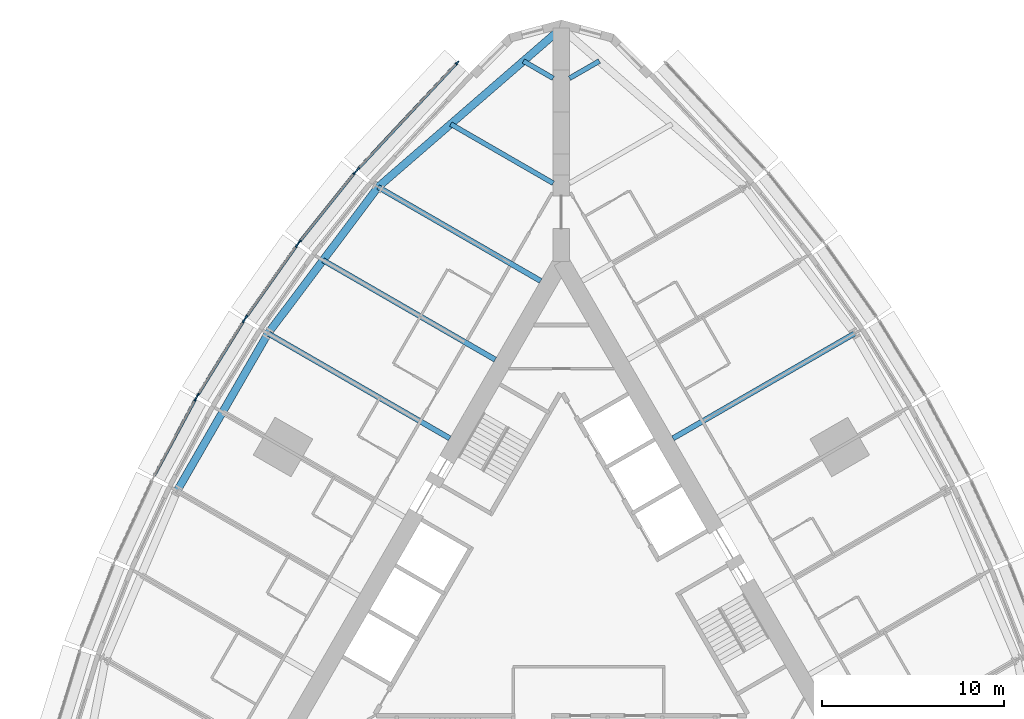
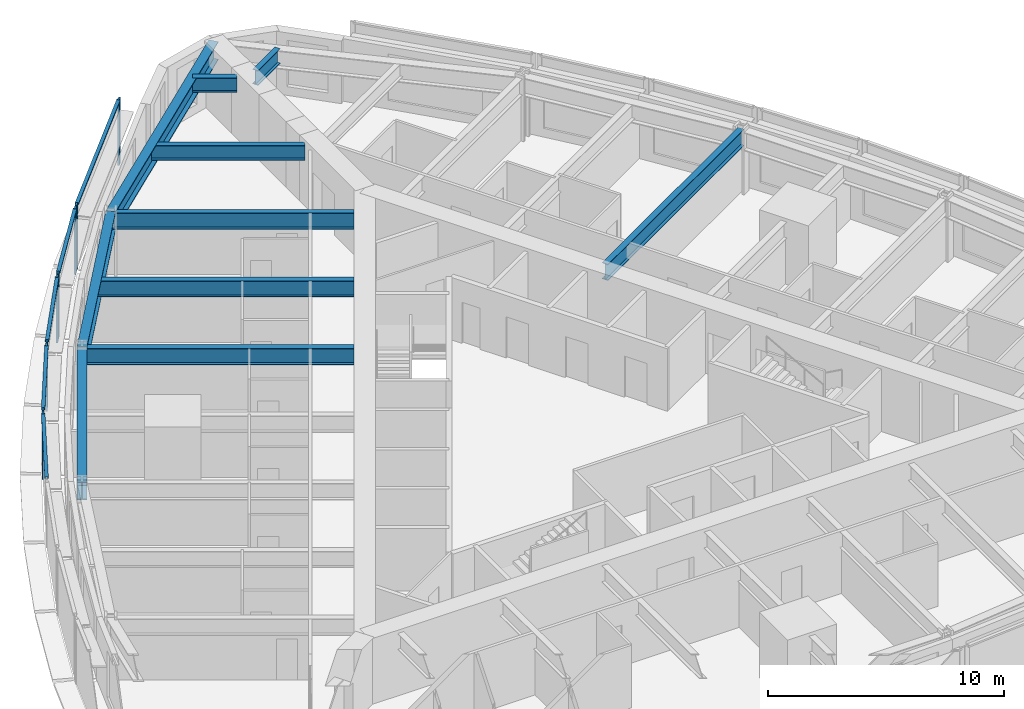
# One storey, part 4 of 14: 14 members, 10 beams, 5 elements without a shape of their own.
"""IFC4 building model written with IfcOpenShell, lengths in metres."""

from ifc_helpers import new_model, si_unit, direction, frame, origin, origin_2d, place, context, subcontext, project, spatial, rectangle, i_section, extrude, material, material_profile, profile_set, type_object, element, aggregate, save


model = new_model("IFC4")

# Units and contexts
model_context = context("Model", 3, precision=1e-05, world=origin(), true_north=direction((0.0, 1.0)))
body_context = subcontext(model_context, "Body", "Model", "MODEL_VIEW")
ifc_project = project(units=[si_unit("LENGTHUNIT", "METRE"), si_unit("AREAUNIT", "SQUARE_METRE"), si_unit("VOLUMEUNIT", "CUBIC_METRE"), si_unit("PLANEANGLEUNIT", "RADIAN"), si_unit("MASSUNIT", "GRAM", prefix="KILO")], contexts=[model_context])

# Site, building, storey
site_placement = place(None, origin())
site = spatial("IfcSite", under=ifc_project, at=site_placement, CompositionType="ELEMENT")
building_placement = place(site_placement, origin())
building = spatial("IfcBuilding", under=site, at=building_placement, Name="Trikona Tower", CompositionType="ELEMENT")
storey_placement = place(building_placement, frame((0.0, 0.0, 52.300048828125)))
storey = spatial("IfcBuildingStorey", under=building, at=storey_placement, Name="L12", CompositionType="ELEMENT", Elevation=52.300048828125)

# Curtain wall, members
ifc_material_1 = material(Name="Aluminium curtain wall system", Category="aluminium")
curtain_wall_type = type_object("IfcCurtainWallType", Name="Curtain wall DS1", PredefinedType="NOTDEFINED", material=ifc_material_1)
curtain_wall_1_placement = place(storey_placement, origin())
curtain_wall_1 = element("IfcCurtainWall", 1, at=curtain_wall_1_placement, inside=storey, type_object=curtain_wall_type, Name="Curtain wall DS1 L12", PredefinedType="NOTDEFINED")
ifc_material_2 = material(Name="Aluminium mullion, pale anodised", Category="aluminium")
ifc_material_profile_1 = material_profile(ifc_material_2, rectangle(XDim=0.080078125, YDim=0.219970703125, at=origin_2d()), Name="MUL-DS1")
ifc_profile_set_1 = profile_set([ifc_material_profile_1], Name="Aluminium mullion, pale anodised")
member_type_1 = type_object("IfcMemberType", Name="Mullion DS1 80x220", PredefinedType="MULLION", material=ifc_profile_set_1)
member_1_placement = place(storey_placement, frame((-5.72607421875, 29.98583984375, 0.0), z_axis=(0.0, 0.0, 1.0), x_axis=(0.731076639405, -0.682295351967, 0.0)))
member_1 = element("IfcMember", 2, at=member_1_placement, type_object=member_type_1, Name="CW-DS1 mullion 1", PredefinedType="MULLION", context=body_context, shape_type="SweptSolid", body=[
    extrude(rectangle(XDim=0.080078125, YDim=0.219970703125, at=origin_2d()), origin(), (0.0, 0.0, 1.0), 3.39990234375),
])
member_2_placement = place(storey_placement, frame((-11.192138671875, 24.129150390625, 0.0), z_axis=(0.0, 0.0, 1.0), x_axis=(0.731076639405, -0.682295351967, 0.0)))
member_2 = element("IfcMember", 3, at=member_2_placement, type_object=member_type_1, Name="CW-DS1 mullion 2", PredefinedType="MULLION", context=body_context, shape_type="SweptSolid", body=[
    extrude(rectangle(XDim=0.080078125, YDim=0.219970703125, at=origin_2d()), origin(), (0.0, 0.0, 1.0), 3.39990234375),
])

curtain_wall_2_placement = place(storey_placement, origin())
curtain_wall_2 = element("IfcCurtainWall", 4, at=curtain_wall_2_placement, inside=storey, type_object=curtain_wall_type, Name="Curtain wall DS1 L12", PredefinedType="NOTDEFINED")
member_3_placement = place(storey_placement, frame((-11.36767578125, 23.926025390625, 0.0), z_axis=(0.0, 0.0, 1.0), x_axis=(0.780937959679, -0.624608599951, 0.0)))
member_3 = element("IfcMember", 5, at=member_3_placement, type_object=member_type_1, Name="CW-DS1 mullion 1", PredefinedType="MULLION", context=body_context, shape_type="SweptSolid", body=[
    extrude(rectangle(XDim=0.080078125, YDim=0.219970703125, at=origin_2d()), origin(), (0.0, 0.0, 1.0), 3.39990234375),
])
member_4_placement = place(storey_placement, frame((-14.40185546875, 20.13232421875, 0.0), z_axis=(0.0, 0.0, 1.0), x_axis=(0.780937959679, -0.624608599951, 0.0)))
member_4 = element("IfcMember", 6, at=member_4_placement, type_object=member_type_1, Name="CW-DS1 mullion 2", PredefinedType="MULLION", context=body_context, shape_type="SweptSolid", body=[
    extrude(rectangle(XDim=0.080078125, YDim=0.219970703125, at=origin_2d()), origin(), (0.0, 0.0, 1.0), 3.39990234375),
])

curtain_wall_3_placement = place(storey_placement, origin())
curtain_wall_3 = element("IfcCurtainWall", 7, at=curtain_wall_3_placement, inside=storey, type_object=curtain_wall_type, Name="Curtain wall DS1 L12", PredefinedType="NOTDEFINED")
member_5_placement = place(storey_placement, frame((-14.554443359375, 19.929443359375, 0.0), z_axis=(0.0, 0.0, 1.0), x_axis=(0.816985393055, -0.576658362928, 0.0)))
member_5 = element("IfcMember", 8, at=member_5_placement, type_object=member_type_1, Name="CW-DS1 mullion 1", PredefinedType="MULLION", context=body_context, shape_type="SweptSolid", body=[
    extrude(rectangle(XDim=0.080078125, YDim=0.219970703125, at=origin_2d()), origin(), (0.0, 0.0, 1.0), 3.39990234375),
])
member_6_placement = place(storey_placement, frame((-17.33447265625, 15.990966796875, 0.0), z_axis=(0.0, 0.0, 1.0), x_axis=(0.816985393055, -0.576658362928, 0.0)))
member_6 = element("IfcMember", 9, at=member_6_placement, type_object=member_type_1, Name="CW-DS1 mullion 2", PredefinedType="MULLION", context=body_context, shape_type="SweptSolid", body=[
    extrude(rectangle(XDim=0.080078125, YDim=0.219970703125, at=origin_2d()), origin(), (0.0, 0.0, 1.0), 3.39990234375),
])

curtain_wall_4_placement = place(storey_placement, origin())
curtain_wall_4 = element("IfcCurtainWall", 10, at=curtain_wall_4_placement, inside=storey, type_object=curtain_wall_type, Name="Curtain wall DS1 L12", PredefinedType="NOTDEFINED")
member_7_placement = place(storey_placement, frame((-17.474853515625, 15.77880859375, 0.0), z_axis=(0.0, 0.0, 1.0), x_axis=(0.850410468941, -0.526119790842, 0.0)))
member_7 = element("IfcMember", 11, at=member_7_placement, type_object=member_type_1, Name="CW-DS1 mullion 1", PredefinedType="MULLION", context=body_context, shape_type="SweptSolid", body=[
    extrude(rectangle(XDim=0.080078125, YDim=0.219970703125, at=origin_2d()), origin(), (0.0, 0.0, 1.0), 3.39990234375),
])
member_8_placement = place(storey_placement, frame((-20.00146484375, 11.69482421875, 0.0), z_axis=(0.0, 0.0, 1.0), x_axis=(0.850410468941, -0.526119790842, 0.0)))
member_8 = element("IfcMember", 12, at=member_8_placement, type_object=member_type_1, Name="CW-DS1 mullion 2", PredefinedType="MULLION", context=body_context, shape_type="SweptSolid", body=[
    extrude(rectangle(XDim=0.080078125, YDim=0.219970703125, at=origin_2d()), origin(), (0.0, 0.0, 1.0), 3.39990234375),
])

# Curtain wall, member
curtain_wall_5_placement = place(storey_placement, origin())
curtain_wall_5 = element("IfcCurtainWall", 13, at=curtain_wall_5_placement, inside=storey, type_object=curtain_wall_type, Name="Curtain wall DS1 L12", PredefinedType="NOTDEFINED")
member_9_placement = place(storey_placement, frame((-20.128662109375, 11.474365234375, 0.0), z_axis=(0.0, 0.0, 1.0), x_axis=(0.880843080975, -0.473408350896, 0.0)))
member_9 = element("IfcMember", 14, at=member_9_placement, type_object=member_type_1, Name="CW-DS1 mullion 1", PredefinedType="MULLION", context=body_context, shape_type="SweptSolid", body=[
    extrude(rectangle(XDim=0.080078125, YDim=0.219970703125, at=origin_2d()), origin(), (0.0, 0.0, 1.0), 3.39990234375),
])

# Beams
ifc_material_3 = material(Name="Steel ASTM A992 Grade 50", Category="steel")
ifc_material_profile_2 = material_profile(ifc_material_3, i_section(OverallWidth=0.2666015625, OverallDepth=0.76953125, WebThickness=0.015625, FlangeThickness=0.025390625, at=origin_2d()), Name="W30X132")
ifc_profile_set_2 = profile_set([ifc_material_profile_2], Name="Steel ASTM A992 Grade 50")
beam_type_1 = type_object("IfcBeamType", Name="Steel beam W30x132 (wedge)", PredefinedType="BEAM", material=ifc_profile_set_2)
for number, where, z_axis, x_axis, name in (
    (15, (0.449951171875, 29.127197265625, 2.85009765625), (0.866009237431, 0.5000279999, 0.0), (-0.5000279999, 0.866009237431, 0.0), "Floor beam L13 F2 u25"),
    (16, (-0.449951171875, 29.127197265625, 2.85009765625), (-0.866009237431, 0.5000279999, 0.0), (-0.5000279999, -0.866009237431, 0.0), "Floor beam L13 F3 u-25"),
):
    element("IfcBeam", number, at=place(storey_placement, frame(where, z_axis=z_axis, x_axis=x_axis)), inside=storey, type_object=beam_type_1, Name=name, PredefinedType="BEAM", context=body_context, shape_type="SweptSolid", body=[
        extrude(i_section(OverallWidth=0.2666015625, OverallDepth=0.76953125, WebThickness=0.015625, FlangeThickness=0.025390625, at=origin_2d()), origin(), (0.0, 0.0, 1.0), 1.890625),
    ])
beam_1_placement = place(storey_placement, frame((-0.449951171875, 23.353759765625, 2.85009765625), z_axis=(-0.866022504693, 0.50000502134, 0.0), x_axis=(-0.50000502134, -0.866022504693, 0.0)))
element("IfcBeam", 17, at=beam_1_placement, inside=storey, type_object=beam_type_1, Name="Floor beam L13 F3 u-20", PredefinedType="BEAM", context=body_context, shape_type="SweptSolid", body=[
    extrude(i_section(OverallWidth=0.2666015625, OverallDepth=0.76953125, WebThickness=0.015625, FlangeThickness=0.025390625, at=origin_2d()), origin(), (0.0, 0.0, 1.0), 6.5068359375),
])
ifc_material_4 = material(Name="Steel ASTM A992 Grade 50", Category="steel")
ifc_material_profile_3 = material_profile(ifc_material_4, i_section(OverallWidth=0.2919921875, OverallDepth=0.845703125, WebThickness=0.015380859375, FlangeThickness=0.0244140625, at=origin_2d()), Name="W33X141")
ifc_profile_set_3 = profile_set([ifc_material_profile_3], Name="Steel ASTM A992 Grade 50")
beam_type_2 = type_object("IfcBeamType", Name="Steel beam W33x141 (radial typ)", PredefinedType="BEAM", material=ifc_profile_set_3)
beam_2_placement = place(storey_placement, frame((6.1396484375, 9.318359375, 2.81201171875), z_axis=(0.866029923217, 0.499992172032, 0.0), x_axis=(-0.499992172032, 0.866029923217, 0.0)))
element("IfcBeam", 18, at=beam_2_placement, inside=storey, type_object=beam_type_2, Name="Floor beam L13 F2 u5", PredefinedType="BEAM", context=body_context, shape_type="SweptSolid", body=[
    extrude(i_section(OverallWidth=0.2919921875, OverallDepth=0.845703125, WebThickness=0.015380859375, FlangeThickness=0.0244140625, at=origin_2d()), origin(), (0.0, 0.0, 1.0), 11.544189453125),
])
beam_3_placement = place(storey_placement, frame((-1.1396484375, 17.978515625, 2.81201171875), z_axis=(-0.866030471684, 0.499991222037, 0.0), x_axis=(-0.499991222037, -0.866030471684, 0.0)))
element("IfcBeam", 19, at=beam_3_placement, inside=storey, type_object=beam_type_2, Name="Floor beam L13 F3 u-15", PredefinedType="BEAM", context=body_context, shape_type="SweptSolid", body=[
    extrude(i_section(OverallWidth=0.2919921875, OverallDepth=0.845703125, WebThickness=0.015380859375, FlangeThickness=0.0244140625, at=origin_2d()), origin(), (0.0, 0.0, 1.0), 10.326904296875),
])
beam_4_placement = place(storey_placement, frame((-3.6396484375, 13.6484375, 2.81201171875), z_axis=(-0.866025348605, 0.500000095573, 0.0), x_axis=(-0.500000095573, -0.866025348605, 0.0)))
element("IfcBeam", 20, at=beam_4_placement, inside=storey, type_object=beam_type_2, Name="Floor beam L13 F3 u-10", PredefinedType="BEAM", context=body_context, shape_type="SweptSolid", body=[
    extrude(i_section(OverallWidth=0.2919921875, OverallDepth=0.845703125, WebThickness=0.015380859375, FlangeThickness=0.0244140625, at=origin_2d()), origin(), (0.0, 0.0, 1.0), 10.935546875),
])
beam_5_placement = place(storey_placement, frame((-6.1396484375, 9.318359375, 2.81201171875), z_axis=(-0.866029923217, 0.499992172032, 0.0), x_axis=(-0.499992172032, -0.866029923217, 0.0)))
element("IfcBeam", 21, at=beam_5_placement, inside=storey, type_object=beam_type_2, Name="Floor beam L13 F3 u-5", PredefinedType="BEAM", context=body_context, shape_type="SweptSolid", body=[
    extrude(i_section(OverallWidth=0.2919921875, OverallDepth=0.845703125, WebThickness=0.015380859375, FlangeThickness=0.0244140625, at=origin_2d()), origin(), (0.0, 0.0, 1.0), 11.544189453125),
])
ifc_material_5 = material(Name="Steel ASTM A992 Grade 50", Category="steel")
ifc_material_profile_4 = material_profile(ifc_material_5, i_section(OverallWidth=0.424072265625, OverallDepth=0.947509765625, WebThickness=0.02392578125, FlangeThickness=0.042724609375, at=origin_2d()), Name="W36X302")
ifc_profile_set_4 = profile_set([ifc_material_profile_4], Name="Steel ASTM A992 Grade 50")
beam_type_3 = type_object("IfcBeamType", Name="Steel beam W36x302 (spandrel)", PredefinedType="SPANDREL", material=ifc_profile_set_4)
beam_6_placement = place(storey_placement, frame((0.0, 31.881591796875, 2.76123046875), z_axis=(-0.755646822726, -0.654979296851, 0.0), x_axis=(0.654979296851, -0.755646822726, 0.0)))
element("IfcBeam", 22, at=beam_6_placement, inside=storey, type_object=beam_type_3, Name="Spandrel beam L13 F3-1", PredefinedType="SPANDREL", context=body_context, shape_type="SweptSolid", body=[
    extrude(i_section(OverallWidth=0.424072265625, OverallDepth=0.947509765625, WebThickness=0.02392578125, FlangeThickness=0.042724609375, at=origin_2d()), origin(), (0.0, 0.0, 1.0), 13.343505859375),
])
beam_7_placement = place(storey_placement, frame((-10.0830078125, 23.141845703125, 2.76123046875), z_axis=(-0.600988344191, -0.799257787042, 0.0), x_axis=(0.799257787042, -0.600988344191, 0.0)))
element("IfcBeam", 23, at=beam_7_placement, inside=storey, type_object=beam_type_3, Name="Spandrel beam L13 F3-2", PredefinedType="SPANDREL", context=body_context, shape_type="SweptSolid", body=[
    extrude(i_section(OverallWidth=0.424072265625, OverallDepth=0.947509765625, WebThickness=0.02392578125, FlangeThickness=0.042724609375, at=origin_2d()), origin(), (0.0, 0.0, 1.0), 10.07373046875),
])
beam_8_placement = place(storey_placement, frame((-16.13720703125, 15.09033203125, 2.76123046875), z_axis=(-0.500004234368, -0.866022959057, 0.0), x_axis=(0.866022959057, -0.500004234368, 0.0)))
element("IfcBeam", 24, at=beam_8_placement, inside=storey, type_object=beam_type_3, Name="Spandrel beam L13 F3-3", PredefinedType="SPANDREL", context=body_context, shape_type="SweptSolid", body=[
    extrude(i_section(OverallWidth=0.424072265625, OverallDepth=0.947509765625, WebThickness=0.02392578125, FlangeThickness=0.042724609375, at=origin_2d()), origin(), (0.0, 0.0, 1.0), 10.0),
])

# Member
ifc_material_6 = material(Name="Aluminium transom, pale anodised", Category="aluminium")
ifc_material_profile_5 = material_profile(ifc_material_6, rectangle(XDim=0.159912109375, YDim=0.080078125, at=origin_2d()), Name="TRN-DS1")
ifc_profile_set_5 = profile_set([ifc_material_profile_5], Name="Aluminium transom, pale anodised")
member_type_2 = type_object("IfcMemberType", Name="Transom DS1 80x160", PredefinedType="USERDEFINED", material=ifc_profile_set_5)
member_10_placement = place(storey_placement, frame((-5.75341796875, 29.95654296875, 3.35986328125), z_axis=(-0.682290830921, -0.731080858758, 0.0), x_axis=(0.731080858758, -0.682290830921, 0.0)))
member_10 = element("IfcMember", 25, at=member_10_placement, type_object=member_type_2, Name="CW-DS1 transom 1.1", ObjectType="TRANSOM", PredefinedType="USERDEFINED", context=body_context, shape_type="SweptSolid", body=[
    extrude(rectangle(XDim=0.159912109375, YDim=0.080078125, at=origin_2d()), origin(), (0.0, 0.0, 1.0), 7.93115234375),
])

aggregate(curtain_wall_1, [member_1, member_2, member_10])

member_11_placement = place(storey_placement, frame((-11.392822265625, 23.894775390625, 3.35986328125), z_axis=(-0.624589103832, -0.780953552636, 0.0), x_axis=(0.780953552636, -0.624589103832, 0.0)))
member_11 = element("IfcMember", 26, at=member_11_placement, type_object=member_type_2, Name="CW-DS1 transom 1.1", ObjectType="TRANSOM", PredefinedType="USERDEFINED", context=body_context, shape_type="SweptSolid", body=[
    extrude(rectangle(XDim=0.159912109375, YDim=0.080078125, at=origin_2d()), origin(), (0.0, 0.0, 1.0), 4.77783203125),
])

aggregate(curtain_wall_2, [member_3, member_4, member_11])

member_12_placement = place(storey_placement, frame((-14.57763671875, 19.896728515625, 3.35986328125), z_axis=(-0.57664478015, -0.816994980111, 0.0), x_axis=(0.816994980111, -0.57664478015, 0.0)))
member_12 = element("IfcMember", 27, at=member_12_placement, type_object=member_type_2, Name="CW-DS1 transom 1.1", ObjectType="TRANSOM", PredefinedType="USERDEFINED", context=body_context, shape_type="SweptSolid", body=[
    extrude(rectangle(XDim=0.159912109375, YDim=0.080078125, at=origin_2d()), origin(), (0.0, 0.0, 1.0), 4.740478515625),
])

aggregate(curtain_wall_3, [member_5, member_6, member_12])

member_13_placement = place(storey_placement, frame((-17.495849609375, 15.744873046875, 3.35986328125), z_axis=(-0.526080502257, -0.850434774186, 0.0), x_axis=(0.850434774186, -0.526080502257, 0.0)))
member_13 = element("IfcMember", 28, at=member_13_placement, type_object=member_type_2, Name="CW-DS1 transom 1.1", ObjectType="TRANSOM", PredefinedType="USERDEFINED", context=body_context, shape_type="SweptSolid", body=[
    extrude(rectangle(XDim=0.159912109375, YDim=0.080078125, at=origin_2d()), origin(), (0.0, 0.0, 1.0), 4.722412109375),
])

aggregate(curtain_wall_4, [member_7, member_8, member_13])

member_14_placement = place(storey_placement, frame((-20.147705078125, 11.43896484375, 3.35986328125), z_axis=(-0.473427569755, -0.880832751546, 0.0), x_axis=(0.880832751546, -0.473427569755, 0.0)))
member_14 = element("IfcMember", 29, at=member_14_placement, type_object=member_type_2, Name="CW-DS1 transom 1.1", ObjectType="TRANSOM", PredefinedType="USERDEFINED", context=body_context, shape_type="SweptSolid", body=[
    extrude(rectangle(XDim=0.159912109375, YDim=0.080078125, at=origin_2d()), origin(), (0.0, 0.0, 1.0), 4.72216796875),
])

aggregate(curtain_wall_5, [member_9, member_14])

save(model, "model.ifc")
